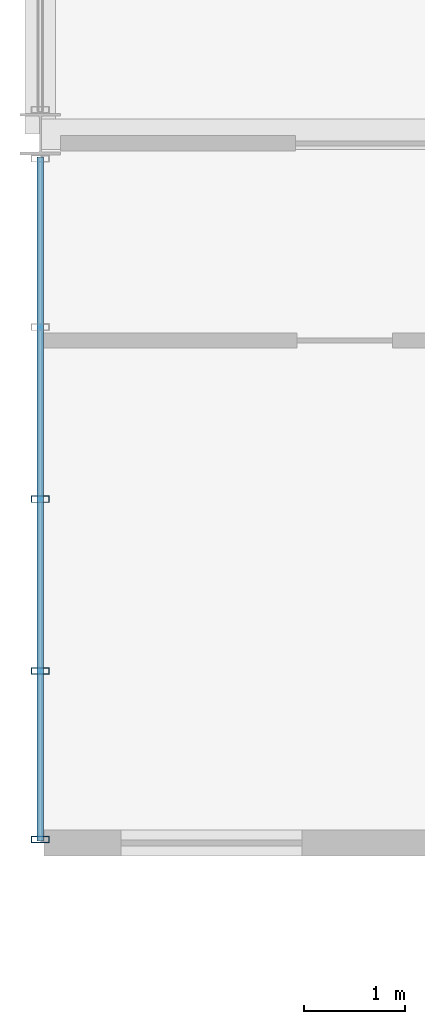
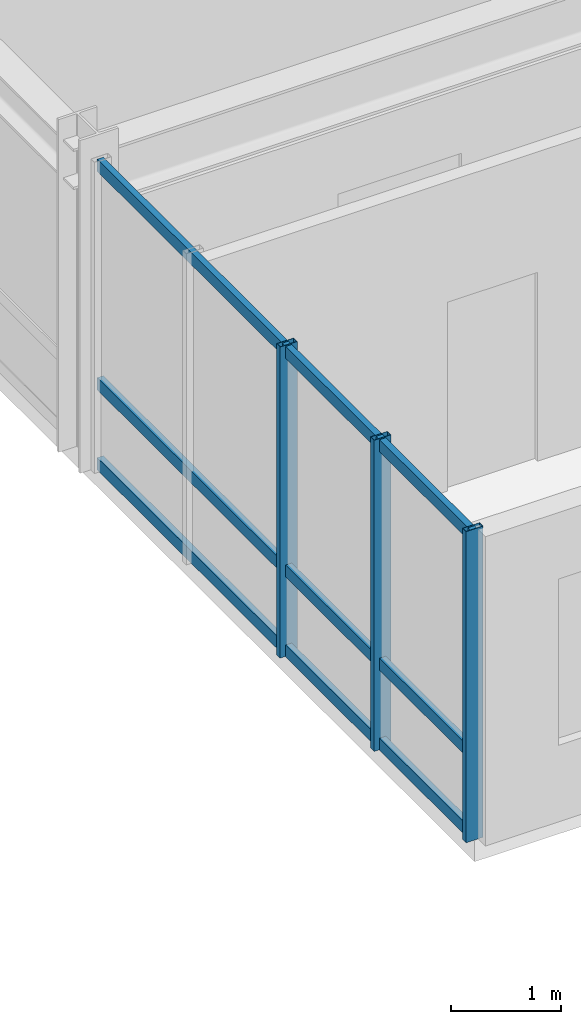
# One storey, part 3 of 20: 6 members, 1 element without a shape of its own.
"""IFC4 building model written with IfcOpenShell, lengths in metres."""

import ifcopenshell
import ifcopenshell.guid

model = None  # the IFC model being written
_history = None  # IfcOwnerHistory: only IFC2X3 demands one
_inside = {}  # id of a spatial element -> (the spatial element, [elements in it])
_under = {}  # id of a project, library or spatial element -> (it, [spatial elements below it])
_declared = {}  # id of a project -> (the project, [libraries it declares])
_typed = {}  # id of a type object -> (the type object, [elements of that type])
_made_of = {}  # id of a material, layer set ... -> (it, [elements and type objects made of it])


def new_model(schema):
    """Start an empty IFC model of exactly this schema.

    Asked for "IFC4X3", IfcOpenShell would pick the latest addendum, in which some entities
    have other attributes; the version numbers below select the first issue.
    IFC2X3 requires an IfcOwnerHistory on every rooted entity: one is made here for all.
    """
    global model, _history
    if schema == "IFC4X3":
        model = ifcopenshell.file(schema_version=(4, 3, 0, 0))
    else:
        model = ifcopenshell.file(schema=schema)
    _inside.clear()
    _under.clear()
    _declared.clear()
    _typed.clear()
    _made_of.clear()
    _history = None
    if model.schema == "IFC2X3":
        org = make("IfcOrganization", Name="unknown")
        user = make(
            "IfcPersonAndOrganization",
            ThePerson=make("IfcPerson", FamilyName="unknown"),
            TheOrganization=org,
        )
        app = make(
            "IfcApplication",
            ApplicationDeveloper=org,
            Version="unknown",
            ApplicationFullName="unknown",
            ApplicationIdentifier="unknown",
        )
        _history = make(
            "IfcOwnerHistory",
            OwningUser=user,
            OwningApplication=app,
            ChangeAction="ADDED",
            CreationDate=0,
        )
    return model


def make(cls, **values):
    """One entity of the class cls with the attributes given. An attribute that is None is left unset."""
    return model.create_entity(
        cls, **{name: value for name, value in values.items() if value is not None}
    )


def rooted(cls, **values):
    """An entity with a GlobalId (a new one), such as an element, a storey or a relation."""
    return make(cls, GlobalId=ifcopenshell.guid.new(), OwnerHistory=_history, **values)


def si_unit(unit_type, name, prefix=None):
    """IfcSIUnit, for example si_unit("LENGTHUNIT", "METRE", prefix="MILLI")."""
    return make("IfcSIUnit", UnitType=unit_type, Prefix=prefix, Name=name)


def assignment(units):
    """IfcUnitAssignment: the units of a project."""
    return None if units is None else make("IfcUnitAssignment", Units=units)


def point(xyz):
    """IfcCartesianPoint."""
    return None if xyz is None else make("IfcCartesianPoint", Coordinates=xyz)


def direction(xyz):
    """IfcDirection."""
    return None if xyz is None else make("IfcDirection", DirectionRatios=xyz)


def frame(location, z_axis=None, x_axis=None):
    """IfcAxis2Placement3D, a coordinate frame: its origin and axes. An axis left out is left unset."""
    return make(
        "IfcAxis2Placement3D",
        Location=point(location),
        Axis=direction(z_axis),
        RefDirection=direction(x_axis),
    )


def frame_2d(location, x_axis=None):
    """IfcAxis2Placement2D, a coordinate frame in the plane: its origin and x axis."""
    return make(
        "IfcAxis2Placement2D", Location=point(location), RefDirection=direction(x_axis)
    )


def origin():
    """The frame at (0, 0, 0) with its axes left unset."""
    return frame((0.0, 0.0, 0.0))


def origin_2d():
    """The frame at (0, 0) in the plane with its x axis left unset."""
    return frame_2d((0.0, 0.0))


def place(relative_to, where):
    """IfcLocalPlacement: puts the frame where relative to a parent placement (None: the world)."""
    return make(
        "IfcLocalPlacement", PlacementRelTo=relative_to, RelativePlacement=where
    )


def context(
    kind, dimensions, precision=None, world=None, true_north=None, identifier=None
):
    """IfcGeometricRepresentationContext, for example the 3D "Model" context."""
    return make(
        "IfcGeometricRepresentationContext",
        ContextIdentifier=identifier,
        ContextType=kind,
        CoordinateSpaceDimension=dimensions,
        Precision=precision,
        WorldCoordinateSystem=world,
        TrueNorth=true_north,
    )


def subcontext(parent, identifier, kind, view, scale=None):
    """IfcGeometricRepresentationSubContext, for example "Body" below "Model"."""
    return make(
        "IfcGeometricRepresentationSubContext",
        ContextIdentifier=identifier,
        ContextType=kind,
        ParentContext=parent,
        TargetScale=scale,
        TargetView=view,
    )


def project(units=None, contexts=None):
    """IfcProject with its units and contexts."""
    return rooted(
        "IfcProject",
        Name="project",
        RepresentationContexts=contexts,
        UnitsInContext=assignment(units),
    )


def spatial(cls, under=None, at=None, **own):
    """A site, building, storey or space (cls), placed at a placement, below another one or the project."""
    s = rooted(cls, ObjectPlacement=at, **own)
    if under is not None:
        _under.setdefault(under.id(), (under, []))[1].append(s)
    return s


def profile(cls, at=None, kind="AREA", **sizes):
    """A parametric profile (cls). Its sizes go by their IFC names, for example OverallWidth=200.0."""
    return make(cls, ProfileType=kind, Position=at, **sizes)


def hollow_rectangle(**sizes):
    """IfcRectangleHollowProfileDef."""
    return profile("IfcRectangleHollowProfileDef", **sizes)


def extrude(swept, where, along, depth):
    """IfcExtrudedAreaSolid: the profile swept, set in the frame where, extruded along a direction by depth."""
    return make(
        "IfcExtrudedAreaSolid",
        SweptArea=swept,
        Position=where,
        ExtrudedDirection=direction(along),
        Depth=depth,
    )


def shape(context_of_items, identifier, shape_type, items):
    """IfcShapeRepresentation: the items that make up one representation, for example the "Body"."""
    return make(
        "IfcShapeRepresentation",
        ContextOfItems=context_of_items,
        RepresentationIdentifier=identifier,
        RepresentationType=shape_type,
        Items=items,
    )


def source(mapping_origin, context_of_items, identifier, shape_type, items):
    """IfcRepresentationMap: a shape defined once, which mapped items show again and again."""
    return make(
        "IfcRepresentationMap",
        MappingOrigin=mapping_origin,
        MappedRepresentation=shape(context_of_items, identifier, shape_type, items),
    )


def transform(
    local_origin,
    x_axis=None,
    y_axis=None,
    z_axis=None,
    scale=None,
    scale2=None,
    scale3=None,
    uniform=True,
):
    """IfcCartesianTransformationOperator3D, or its non-uniform kind. x_axis, y_axis, z_axis: its Axis1, 2, 3."""
    if uniform:
        return make(
            "IfcCartesianTransformationOperator3D",
            Axis1=direction(x_axis),
            Axis2=direction(y_axis),
            LocalOrigin=point(local_origin),
            Scale=scale,
            Axis3=direction(z_axis),
        )
    return make(
        "IfcCartesianTransformationOperator3DnonUniform",
        Axis1=direction(x_axis),
        Axis2=direction(y_axis),
        LocalOrigin=point(local_origin),
        Scale=scale,
        Axis3=direction(z_axis),
        Scale2=scale2,
        Scale3=scale3,
    )


def mapped(mapping_source, mapping_target):
    """IfcMappedItem: shows the shape of a source again, moved by a transform."""
    return make(
        "IfcMappedItem", MappingSource=mapping_source, MappingTarget=mapping_target
    )


def material(Name=None, Category=None):
    """IfcMaterial."""
    return make("IfcMaterial", Name=Name, Category=Category)


def layer(
    of_material, thickness, ventilated=None, Name=None, Category=None, Priority=None
):
    """IfcMaterialLayer: one layer of a wall or slab, of a material (None: an air gap)."""
    return make(
        "IfcMaterialLayer",
        Material=of_material,
        LayerThickness=thickness,
        IsVentilated=ventilated,
        Name=Name,
        Category=Category,
        Priority=Priority,
    )


def layer_set(layers, Name=None):
    """IfcMaterialLayerSet."""
    return make("IfcMaterialLayerSet", MaterialLayers=layers, LayerSetName=Name)


def material_profile(
    of_material, cross_section, Name=None, Category=None, Priority=None
):
    """IfcMaterialProfile: a cross section and its material."""
    return make(
        "IfcMaterialProfile",
        Name=Name,
        Material=of_material,
        Profile=cross_section,
        Priority=Priority,
        Category=Category,
    )


def profile_set(profiles, Name=None, composite=None):
    """IfcMaterialProfileSet."""
    return make(
        "IfcMaterialProfileSet",
        Name=Name,
        MaterialProfiles=profiles,
        CompositeProfile=composite,
    )


def made_of(thing, what):
    """Note that an element or type object is made of a material, layer set ...; save() writes the relation."""
    if what is not None:
        _made_of.setdefault(what.id(), (what, []))[1].append(thing)
    return thing


def type_object(cls, material=None, **own):
    """A type object (cls), such as IfcWallType, which elements share."""
    return made_of(rooted(cls, **own), material)


def element(
    cls,
    number,
    at=None,
    inside=None,
    cuts=None,
    type_object=None,
    material=None,
    context=None,
    identifier="Body",
    shape_type=None,
    held_by="IfcProductDefinitionShape",
    body=None,
    shapes=None,
    **own,
):
    """One element of the class cls, such as IfcWall. Its Tag is "e" and its number.

    at: its placement. inside: the storey or other place that contains it. cuts: it is an
    opening in that element (IfcRelVoidsElement). A single representation is given by context,
    identifier, shape_type and body (its items); several are given by shapes. held_by: the class
    of the entity that holds the representations. save() writes the other relations.
    """
    e = rooted(cls, Tag="e%d" % number, ObjectPlacement=at, **own)
    if body is not None:
        shapes = [shape(context, identifier, shape_type, body)]
    if shapes is not None:
        e.Representation = make(held_by, Representations=shapes)
    if inside is not None:
        _inside.setdefault(inside.id(), (inside, []))[1].append(e)
    if cuts is not None:
        rooted(
            "IfcRelVoidsElement", RelatingBuildingElement=cuts, RelatedOpeningElement=e
        )
    if type_object is not None:
        _typed.setdefault(type_object.id(), (type_object, []))[1].append(e)
    return made_of(e, material)


def aggregate(whole, parts):
    """IfcRelAggregates: a whole, such as a stair, and the parts it consists of."""
    return rooted("IfcRelAggregates", RelatingObject=whole, RelatedObjects=parts)


def save(model, path):
    """Write the relations noted so far, then the file.

    IfcRelAggregates (storeys below a building ...), IfcRelContainedInSpatialStructure (elements
    in a storey), IfcRelDefinesByType, IfcRelAssociatesMaterial and IfcRelDeclares: one each for
    every whole, place, type object, material and project.
    """
    for whole, parts in _under.values():
        aggregate(whole, parts)
    for where, things in _inside.values():
        rooted(
            "IfcRelContainedInSpatialStructure",
            RelatedElements=things,
            RelatingStructure=where,
        )
    for kind, things in _typed.values():
        rooted("IfcRelDefinesByType", RelatedObjects=things, RelatingType=kind)
    for what, things in _made_of.values():
        rooted("IfcRelAssociatesMaterial", RelatedObjects=things, RelatingMaterial=what)
    for by, libraries in _declared.values():
        rooted("IfcRelDeclares", RelatingContext=by, RelatedDefinitions=libraries)
    model.write(path)


model = new_model("IFC4")

# Units and contexts
model_context = context("Model", 3, precision=1e-05, world=origin(), true_north=direction((0.0, 1.0)))
body_context = subcontext(model_context, "Body", "Model", "MODEL_VIEW")
ifc_project = project(units=[si_unit("LENGTHUNIT", "METRE"), si_unit("AREAUNIT", "SQUARE_METRE"), si_unit("VOLUMEUNIT", "CUBIC_METRE"), si_unit("PLANEANGLEUNIT", "RADIAN"), si_unit("MASSUNIT", "GRAM", prefix="KILO")], contexts=[model_context])

# Site, building, storey
site_placement = place(None, origin())
site = spatial("IfcSite", under=ifc_project, at=site_placement, CompositionType="ELEMENT")
building_placement = place(site_placement, origin())
building = spatial("IfcBuilding", under=site, at=building_placement, Name="Kaliganga Portal Commons", CompositionType="ELEMENT")
storey_placement = place(building_placement, frame((0.0, 0.0, 155.0)))
storey = spatial("IfcBuildingStorey", under=building, at=storey_placement, Name="L39", CompositionType="ELEMENT", Elevation=155.0)

# Curtain wall, members
ifc_material_1 = material(Name="Anodized Aluminium and Laminated Low-E Glass", Category="aluminium")
ifc_layer = layer(ifc_material_1, 0.199951171875)
ifc_layer_set = layer_set([ifc_layer], Name="Anodized Aluminium and Laminated Low-E Glass")
curtain_wall_type = type_object("IfcCurtainWallType", Name="CW-SYS-02", PredefinedType="NOTDEFINED", material=ifc_layer_set)
curtain_wall_placement = place(storey_placement, origin())
curtain_wall = element("IfcCurtainWall", 1, at=curtain_wall_placement, inside=storey, type_object=curtain_wall_type, Name="CW 02 L39 P1E03S3", PredefinedType="NOTDEFINED")
ifc_material_2 = material(Name="Dark Bronze Anodized Aluminium", Category="aluminium")
ifc_material_profile_1 = material_profile(ifc_material_2, hollow_rectangle(XDim=0.06494140625, YDim=0.179931640625, WallThickness=0.00390625, at=origin_2d()), Name="ALU MULL 65x180x4")
ifc_profile_set_1 = profile_set([ifc_material_profile_1], Name="Dark Bronze Anodized Aluminium")
member_type_1 = type_object("IfcMemberType", Name="CW-MUL-180", PredefinedType="MULLION", material=ifc_profile_set_1)
shared_shape_1 = source(origin(), body_context, "Body", "SweptSolid", [
    extrude(hollow_rectangle(XDim=0.06494140625, YDim=0.179931640625, WallThickness=0.00390625, at=origin_2d()), origin(), (0.0, 0.0, 1.0), 3.4599609375),
])
member_1_placement = place(storey_placement, frame((0.5, 25.02099609375, 0.0), z_axis=(0.0, 0.0, 1.0), x_axis=(0.0, -1.0, 0.0)))
member_1 = element("IfcMember", 2, at=member_1_placement, type_object=member_type_1, Name="CW:02:L39:P1E03S3 Mullion 02", PredefinedType="MULLION", context=body_context, shape_type="MappedRepresentation", body=[
    mapped(shared_shape_1, transform((0.0, 0.0, 0.0), x_axis=(1.0, 0.0, 0.0), y_axis=(0.0, 1.0, 0.0), z_axis=(0.0, 0.0, 1.0), scale=1.0)),
])
member_2_placement = place(storey_placement, frame((0.5, 23.310546875, 0.0), z_axis=(0.0, 0.0, 1.0), x_axis=(0.0, -1.0, 0.0)))
member_2 = element("IfcMember", 3, at=member_2_placement, type_object=member_type_1, Name="CW:02:L39:P1E03S3 Mullion 03", PredefinedType="MULLION", context=body_context, shape_type="MappedRepresentation", body=[
    mapped(shared_shape_1, transform((0.0, 0.0, 0.0), x_axis=(1.0, 0.0, 0.0), y_axis=(0.0, 1.0, 0.0), z_axis=(0.0, 0.0, 1.0), scale=1.0)),
])
member_3_placement = place(storey_placement, frame((0.5, 21.635009765625, 0.0), z_axis=(0.0, 0.0, 1.0), x_axis=(0.0, -1.0, 0.0)))
member_3 = element("IfcMember", 4, at=member_3_placement, type_object=member_type_1, Name="CW:02:L39:P1E03S3 Mullion 04", PredefinedType="MULLION", context=body_context, shape_type="MappedRepresentation", body=[
    mapped(shared_shape_1, transform((0.0, 0.0, 0.0), x_axis=(1.0, 0.0, 0.0), y_axis=(0.0, 1.0, 0.0), z_axis=(0.0, 0.0, 1.0), scale=1.0)),
])
ifc_material_profile_2 = material_profile(ifc_material_2, hollow_rectangle(XDim=0.06494140625, YDim=0.135009765625, WallThickness=0.00341796875, at=origin_2d()), Name="ALU TRAN 65x135x3.5")
ifc_profile_set_2 = profile_set([ifc_material_profile_2], Name="Dark Bronze Anodized Aluminium")
member_type_2 = type_object("IfcMemberType", Name="CW-TRN-135", PredefinedType="USERDEFINED", material=ifc_profile_set_2)
shared_shape_2 = source(origin(), body_context, "Body", "SweptSolid", [
    extrude(hollow_rectangle(XDim=0.06494140625, YDim=0.135009765625, WallThickness=0.00341796875, at=origin_2d()), origin(), (0.0, 0.0, 1.0), 6.802001953125),
])
member_4_placement = place(storey_placement, frame((0.5, 28.422119140625, 0.06005859375), z_axis=(0.0, -1.0, 0.0), x_axis=(1.0, 0.0, 0.0)))
member_4 = element("IfcMember", 5, at=member_4_placement, type_object=member_type_2, Name="CW:02:L39:P1E03S3 Transom 1", ObjectType="TRANSOM", PredefinedType="USERDEFINED", context=body_context, shape_type="MappedRepresentation", body=[
    mapped(shared_shape_2, transform((0.0, 0.0, 0.0), x_axis=(1.0, 0.0, 0.0), y_axis=(0.0, 1.0, 0.0), z_axis=(0.0, 0.0, 1.0), scale=1.0)),
])
member_5_placement = place(storey_placement, frame((0.5, 28.422119140625, 0.949951171875), z_axis=(0.0, -1.0, 0.0), x_axis=(1.0, 0.0, 0.0)))
member_5 = element("IfcMember", 6, at=member_5_placement, type_object=member_type_2, Name="CW:02:L39:P1E03S3 Transom 2", ObjectType="TRANSOM", PredefinedType="USERDEFINED", context=body_context, shape_type="MappedRepresentation", body=[
    mapped(shared_shape_2, transform((0.0, 0.0, 0.0), x_axis=(1.0, 0.0, 0.0), y_axis=(0.0, 1.0, 0.0), z_axis=(0.0, 0.0, 1.0), scale=1.0)),
])
member_6_placement = place(storey_placement, frame((0.5, 28.422119140625, 3.3798828125), z_axis=(0.0, -1.0, 0.0), x_axis=(1.0, 0.0, 0.0)))
member_6 = element("IfcMember", 7, at=member_6_placement, type_object=member_type_2, Name="CW:02:L39:P1E03S3 Transom 3", ObjectType="TRANSOM", PredefinedType="USERDEFINED", context=body_context, shape_type="MappedRepresentation", body=[
    mapped(shared_shape_2, transform((0.0, 0.0, 0.0), x_axis=(1.0, 0.0, 0.0), y_axis=(0.0, 1.0, 0.0), z_axis=(0.0, 0.0, 1.0), scale=1.0)),
])
aggregate(curtain_wall, [member_1, member_2, member_3, member_4, member_5, member_6])

save(model, "model.ifc")
